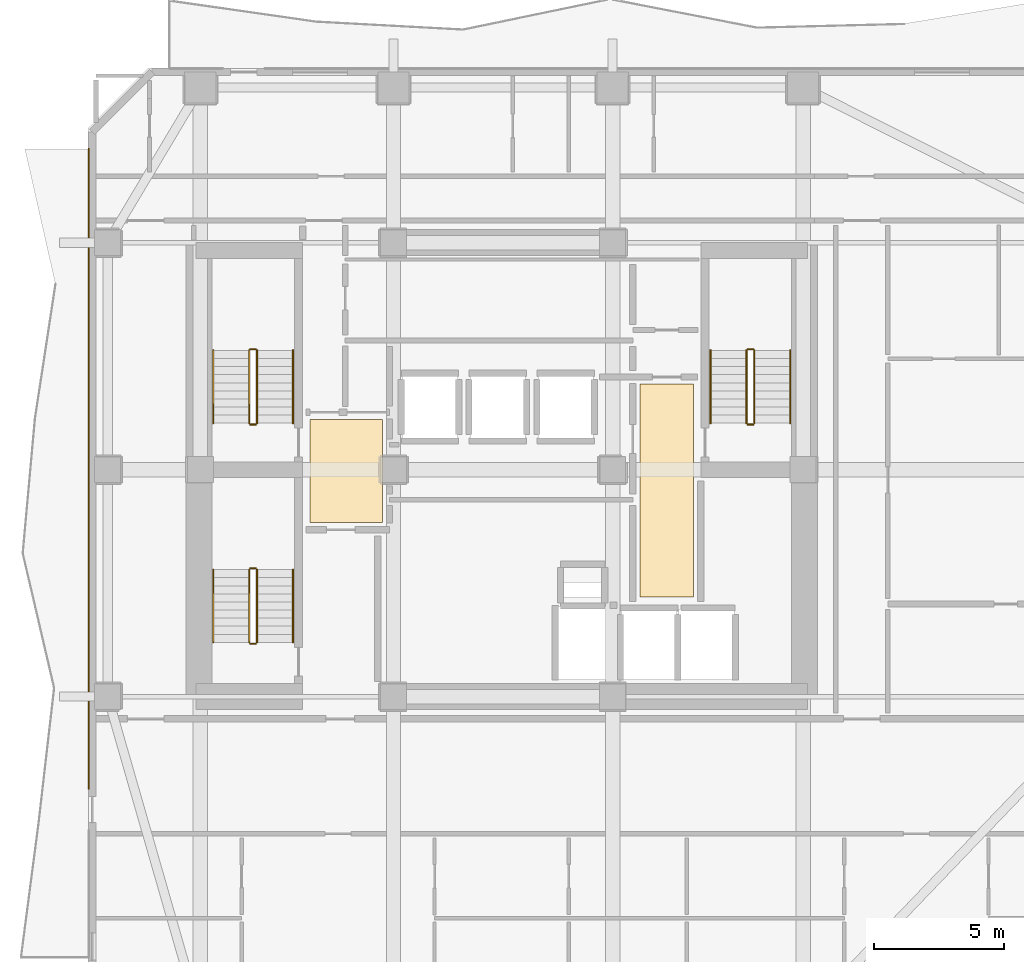
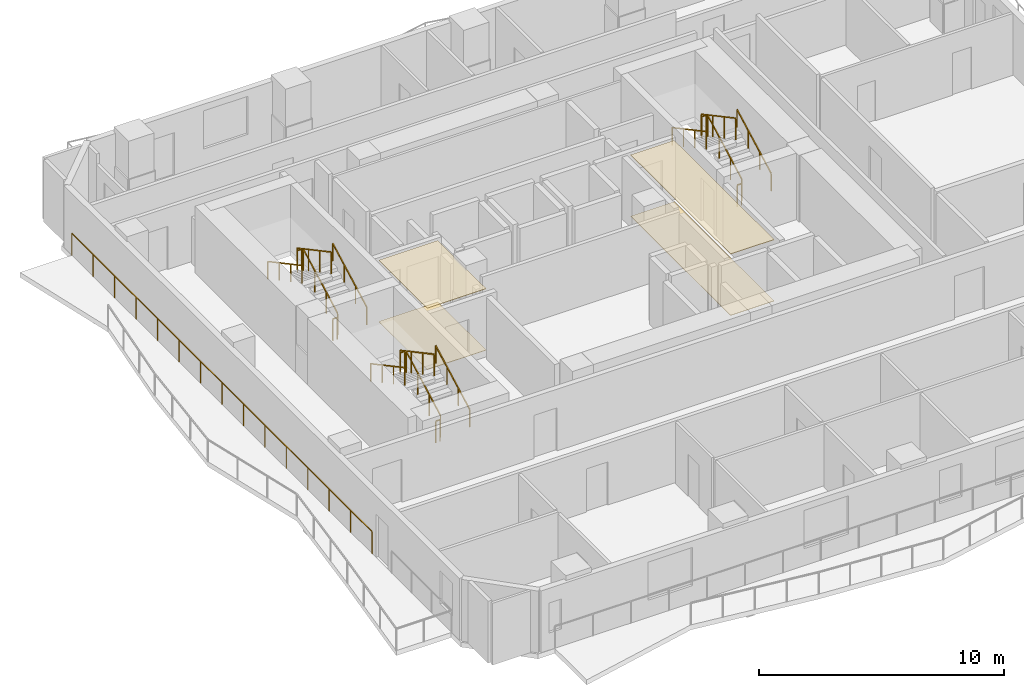
# One storey, part 8 of 9: 19 railings, 4 coverings.
"""IFC4 building model written with IfcOpenShell, lengths in metres."""

from ifc_helpers import new_model, si_unit, direction, frame, origin, origin_2d, place, context, subcontext, project, spatial, polyline, rectangle, outline, extrude, material, layer, layer_set, type_object, element, save


model = new_model("IFC4")

# Units and contexts
model_context = context("Model", 3, precision=1e-05, world=origin(), true_north=direction((0.0, 1.0)))
body_context = subcontext(model_context, "Body", "Model", "MODEL_VIEW")
ifc_project = project(units=[si_unit("LENGTHUNIT", "METRE"), si_unit("AREAUNIT", "SQUARE_METRE"), si_unit("VOLUMEUNIT", "CUBIC_METRE"), si_unit("PLANEANGLEUNIT", "RADIAN"), si_unit("MASSUNIT", "GRAM", prefix="KILO")], contexts=[model_context])

# Site, building, storey
site_placement = place(None, origin())
site = spatial("IfcSite", under=ifc_project, at=site_placement, CompositionType="ELEMENT")
building_placement = place(site_placement, origin())
building = spatial("IfcBuilding", under=site, at=building_placement, Name="Solanera Arch Residences", CompositionType="ELEMENT")
storey_placement = place(building_placement, frame((0.0, 0.0, 132.639892578125)))
storey = spatial("IfcBuildingStorey", under=building, at=storey_placement, Name="L38", CompositionType="ELEMENT", Elevation=132.639892578125)

# Railing
ifc_material_1 = material(Name="Steel S355 (ASTM A992 / A572 Grade 50)", Category="steel")
railing_type_1 = type_object("IfcRailingType", Name="Balustrade Railing BL-1100", PredefinedType="BALUSTRADE", material=ifc_material_1)
railing_1_placement = place(storey_placement, frame((9.1201171875, 18.472900390625, 0.0)))
element("IfcRailing", 1, at=railing_1_placement, inside=storey, type_object=railing_type_1, Name="L38 W Balcony Balustrade 2", PredefinedType="BALUSTRADE", context=body_context, shape_type="SweptSolid", body=[
    extrude(rectangle(XDim=0.048095703125, YDim=0.048095703125, at=origin_2d()), frame((0.0, 0.0, 1.09619140625), z_axis=(0.0, 1.0, 0.0), x_axis=(-1.0, 0.0, 0.0)), (0.0, 0.0, 1.0), 24.527099609375),
    extrude(rectangle(XDim=0.0419921875, YDim=0.0419921875, at=origin_2d()), origin(), (0.0, 0.0, 1.0), 1.072021484375),
    extrude(rectangle(XDim=0.0419921875, YDim=0.0419921875, at=origin_2d()), frame((0.0, 1.751953125, 0.0)), (0.0, 0.0, 1.0), 1.072021484375),
    extrude(rectangle(XDim=0.0419921875, YDim=0.0419921875, at=origin_2d()), frame((0.0, 3.50390625, 0.0)), (0.0, 0.0, 1.0), 1.072021484375),
    extrude(rectangle(XDim=0.0419921875, YDim=0.0419921875, at=origin_2d()), frame((0.0, 5.255859375, 0.0)), (0.0, 0.0, 1.0), 1.072021484375),
    extrude(rectangle(XDim=0.0419921875, YDim=0.0419921875, at=origin_2d()), frame((0.0, 7.0078125, 0.0)), (0.0, 0.0, 1.0), 1.072021484375),
    extrude(rectangle(XDim=0.0419921875, YDim=0.0419921875, at=origin_2d()), frame((0.0, 8.759765625, 0.0)), (0.0, 0.0, 1.0), 1.072021484375),
    extrude(rectangle(XDim=0.0419921875, YDim=0.0419921875, at=origin_2d()), frame((0.0, 10.51171875, 0.0)), (0.0, 0.0, 1.0), 1.072021484375),
    extrude(rectangle(XDim=0.0419921875, YDim=0.0419921875, at=origin_2d()), frame((0.0, 12.263671875, 0.0)), (0.0, 0.0, 1.0), 1.072021484375),
    extrude(rectangle(XDim=0.0419921875, YDim=0.0419921875, at=origin_2d()), frame((0.0, 14.015380859375, 0.0)), (0.0, 0.0, 1.0), 1.072021484375),
    extrude(rectangle(XDim=0.0419921875, YDim=0.0419921875, at=origin_2d()), frame((0.0, 15.767333984375, 0.0)), (0.0, 0.0, 1.0), 1.072021484375),
    extrude(rectangle(XDim=0.0419921875, YDim=0.0419921875, at=origin_2d()), frame((0.0, 17.519287109375, 0.0)), (0.0, 0.0, 1.0), 1.072021484375),
    extrude(rectangle(XDim=0.0419921875, YDim=0.0419921875, at=origin_2d()), frame((0.0, 19.271240234375, 0.0)), (0.0, 0.0, 1.0), 1.072021484375),
    extrude(rectangle(XDim=0.0419921875, YDim=0.0419921875, at=origin_2d()), frame((0.0, 21.023193359375, 0.0)), (0.0, 0.0, 1.0), 1.072021484375),
    extrude(rectangle(XDim=0.0419921875, YDim=0.0419921875, at=origin_2d()), frame((0.0, 22.775146484375, 0.0)), (0.0, 0.0, 1.0), 1.072021484375),
    extrude(rectangle(XDim=0.0419921875, YDim=0.0419921875, at=origin_2d()), frame((0.0, 24.527099609375, 0.0)), (0.0, 0.0, 1.0), 1.072021484375),
])

# Coverings
ifc_material_2 = material(Name="Porcelain Acoustic Floor Tile", Category="ceramic")
ifc_layer_1 = layer(ifc_material_2, 0.02001953125)
ifc_layer_set_1 = layer_set([ifc_layer_1], Name="Porcelain Acoustic Floor Tile")
covering_type_1 = type_object("IfcCoveringType", Name="Porcelain Acoustic Floor Finish FLR-20", PredefinedType="FLOORING", material=ifc_layer_set_1)
covering_1_placement = place(storey_placement, origin())
element("IfcCovering", 2, at=covering_1_placement, inside=storey, type_object=covering_type_1, Name="L38-FFL-W Porcelain Floor Finish", PredefinedType="FLOORING", context=body_context, shape_type="SweptSolid", body=[
    extrude(outline(polyline([(20.375, 28.675048828125), (17.594970703125, 28.675048828125), (17.594970703125, 32.625), (20.375, 32.625), (20.375, 28.675048828125)])), origin(), (0.0, 0.0, 1.0), 0.02001953125),
])
covering_2_placement = place(storey_placement, origin())
element("IfcCovering", 3, at=covering_2_placement, inside=storey, type_object=covering_type_1, Name="L38-FFL-E Porcelain Floor Finish", PredefinedType="FLOORING", context=body_context, shape_type="SweptSolid", body=[
    extrude(outline(polyline([(32.304931640625, 25.824951171875), (30.25, 25.824951171875), (30.25, 33.97509765625), (32.304931640625, 33.97509765625), (32.304931640625, 25.824951171875)])), origin(), (0.0, 0.0, 1.0), 0.02001953125),
])

# Railings
ifc_material_3 = material(Name="Steel S355 (ASTM A992 / A572 Grade 50)", Category="steel")
railing_type_2 = type_object("IfcRailingType", Name="Stair Guardrail GR-1100", PredefinedType="GUARDRAIL", material=ifc_material_3)
railing_2_placement = place(storey_placement, frame((15.570068359375, 32.47998046875, 0.151123046875)))
element("IfcRailing", 4, at=railing_2_placement, inside=storey, type_object=railing_type_2, Name="L38 ST-T1 stair guard 1", PredefinedType="GUARDRAIL", context=body_context, shape_type="SweptSolid", body=[
    extrude(rectangle(XDim=0.048095703125, YDim=0.048095703125, at=origin_2d()), frame((0.0, 0.0, 1.076171875), z_axis=(0.0, 0.881580869306, 0.472033018838), x_axis=(-1.0, 0.0, 0.0)), (0.0, 0.0, 1.0), 3.164794921875),
    extrude(rectangle(XDim=0.0419921875, YDim=0.0419921875, at=origin_2d()), origin(), (0.0, 0.0, 1.0), 1.052001953125),
    extrude(rectangle(XDim=0.0419921875, YDim=0.0419921875, at=origin_2d()), frame((0.0, 0.929931640625, 0.498046875)), (0.0, 0.0, 1.0), 1.052001953125),
    extrude(rectangle(XDim=0.0419921875, YDim=0.0419921875, at=origin_2d()), frame((0.0, 1.860107421875, 0.995849609375)), (0.0, 0.0, 1.0), 1.052001953125),
    extrude(rectangle(XDim=0.0419921875, YDim=0.0419921875, at=origin_2d()), frame((0.0, 2.7900390625, 1.493896484375)), (0.0, 0.0, 1.0), 1.052001953125),
])
railing_3_placement = place(storey_placement, frame((15.52001953125, 35.320068359375, 1.64501953125)))
element("IfcRailing", 5, at=railing_3_placement, inside=storey, type_object=railing_type_2, Name="L38 ST-T1 stair guard 2", PredefinedType="GUARDRAIL", context=body_context, shape_type="SweptSolid", body=[
    extrude(rectangle(XDim=0.048095703125, YDim=0.048095703125, at=origin_2d()), frame((0.0, 0.0, 1.076171875), z_axis=(-1.0, 0.0, 0.0), x_axis=(0.0, -1.0, 0.0)), (0.0, 0.0, 1.0), 0.199951171875),
    extrude(rectangle(XDim=0.0419921875, YDim=0.0419921875, at=origin_2d()), origin(), (0.0, 0.0, 1.0), 1.052001953125),
    extrude(rectangle(XDim=0.0419921875, YDim=0.0419921875, at=origin_2d()), frame((-0.199951171875, 0.0, 0.0)), (0.0, 0.0, 1.0), 1.052001953125),
])
railing_4_placement = place(storey_placement, frame((15.27001953125, 35.27001953125, 1.81103515625)))
element("IfcRailing", 6, at=railing_4_placement, inside=storey, type_object=railing_type_2, Name="L38 ST-T1 stair guard 3", PredefinedType="GUARDRAIL", context=body_context, shape_type="SweptSolid", body=[
    extrude(rectangle(XDim=0.048095703125, YDim=0.048095703125, at=origin_2d()), frame((0.0, 0.0, 1.076171875), z_axis=(0.0, -0.881548766853, 0.472092969298), x_axis=(1.0, 0.0, 0.0)), (0.0, 0.0, 1.0), 3.1650390625),
    extrude(rectangle(XDim=0.0419921875, YDim=0.0419921875, at=origin_2d()), origin(), (0.0, 0.0, 1.0), 1.052001953125),
    extrude(rectangle(XDim=0.0419921875, YDim=0.0419921875, at=origin_2d()), frame((0.0, -0.929931640625, 0.498046875)), (0.0, 0.0, 1.0), 1.052001953125),
    extrude(rectangle(XDim=0.0419921875, YDim=0.0419921875, at=origin_2d()), frame((0.0, -1.860107421875, 0.99609375)), (0.0, 0.0, 1.0), 1.052001953125),
    extrude(rectangle(XDim=0.0419921875, YDim=0.0419921875, at=origin_2d()), frame((0.0, -2.7900390625, 1.494140625)), (0.0, 0.0, 1.0), 1.052001953125),
])
railing_5_placement = place(storey_placement, frame((15.52001953125, 32.429931640625, -0.014892578125)))
element("IfcRailing", 7, at=railing_5_placement, inside=storey, type_object=railing_type_2, Name="L38 ST-T1 stair guard 4", PredefinedType="GUARDRAIL", context=body_context, shape_type="SweptSolid", body=[
    extrude(rectangle(XDim=0.048095703125, YDim=0.048095703125, at=origin_2d()), frame((0.0, 0.0, 1.076171875), z_axis=(-1.0, 0.0, 0.0), x_axis=(0.0, -1.0, 0.0)), (0.0, 0.0, 1.0), 0.199951171875),
    extrude(rectangle(XDim=0.0419921875, YDim=0.0419921875, at=origin_2d()), origin(), (0.0, 0.0, 1.0), 1.052001953125),
    extrude(rectangle(XDim=0.0419921875, YDim=0.0419921875, at=origin_2d()), frame((-0.199951171875, 0.0, 0.0)), (0.0, 0.0, 1.0), 1.052001953125),
])
railing_6_placement = place(storey_placement, frame((34.6298828125, 32.47998046875, 0.151123046875)))
element("IfcRailing", 8, at=railing_6_placement, inside=storey, type_object=railing_type_2, Name="L38 ST-T2 stair guard 1", PredefinedType="GUARDRAIL", context=body_context, shape_type="SweptSolid", body=[
    extrude(rectangle(XDim=0.048095703125, YDim=0.048095703125, at=origin_2d()), frame((0.0, 0.0, 1.076171875), z_axis=(0.0, 0.881580869306, 0.472033018838), x_axis=(-1.0, 0.0, 0.0)), (0.0, 0.0, 1.0), 3.164794921875),
    extrude(rectangle(XDim=0.0419921875, YDim=0.0419921875, at=origin_2d()), origin(), (0.0, 0.0, 1.0), 1.052001953125),
    extrude(rectangle(XDim=0.0419921875, YDim=0.0419921875, at=origin_2d()), frame((0.0, 0.929931640625, 0.498046875)), (0.0, 0.0, 1.0), 1.052001953125),
    extrude(rectangle(XDim=0.0419921875, YDim=0.0419921875, at=origin_2d()), frame((0.0, 1.860107421875, 0.995849609375)), (0.0, 0.0, 1.0), 1.052001953125),
    extrude(rectangle(XDim=0.0419921875, YDim=0.0419921875, at=origin_2d()), frame((0.0, 2.7900390625, 1.493896484375)), (0.0, 0.0, 1.0), 1.052001953125),
])
railing_7_placement = place(storey_placement, frame((34.580078125, 35.320068359375, 1.64501953125)))
element("IfcRailing", 9, at=railing_7_placement, inside=storey, type_object=railing_type_2, Name="L38 ST-T2 stair guard 2", PredefinedType="GUARDRAIL", context=body_context, shape_type="SweptSolid", body=[
    extrude(rectangle(XDim=0.048095703125, YDim=0.048095703125, at=origin_2d()), frame((0.0, 0.0, 1.076171875), z_axis=(-1.0, 0.0, 0.0), x_axis=(0.0, -1.0, 0.0)), (0.0, 0.0, 1.0), 0.2001953125),
    extrude(rectangle(XDim=0.0419921875, YDim=0.0419921875, at=origin_2d()), origin(), (0.0, 0.0, 1.0), 1.052001953125),
    extrude(rectangle(XDim=0.0419921875, YDim=0.0419921875, at=origin_2d()), frame((-0.2001953125, 0.0, 0.0)), (0.0, 0.0, 1.0), 1.052001953125),
])
railing_8_placement = place(storey_placement, frame((34.330078125, 35.27001953125, 1.81103515625)))
element("IfcRailing", 10, at=railing_8_placement, inside=storey, type_object=railing_type_2, Name="L38 ST-T2 stair guard 3", PredefinedType="GUARDRAIL", context=body_context, shape_type="SweptSolid", body=[
    extrude(rectangle(XDim=0.048095703125, YDim=0.048095703125, at=origin_2d()), frame((0.0, 0.0, 1.076171875), z_axis=(0.0, -0.881548766853, 0.472092969298), x_axis=(1.0, 0.0, 0.0)), (0.0, 0.0, 1.0), 3.1650390625),
    extrude(rectangle(XDim=0.0419921875, YDim=0.0419921875, at=origin_2d()), origin(), (0.0, 0.0, 1.0), 1.052001953125),
    extrude(rectangle(XDim=0.0419921875, YDim=0.0419921875, at=origin_2d()), frame((0.0, -0.929931640625, 0.498046875)), (0.0, 0.0, 1.0), 1.052001953125),
    extrude(rectangle(XDim=0.0419921875, YDim=0.0419921875, at=origin_2d()), frame((0.0, -1.860107421875, 0.99609375)), (0.0, 0.0, 1.0), 1.052001953125),
    extrude(rectangle(XDim=0.0419921875, YDim=0.0419921875, at=origin_2d()), frame((0.0, -2.7900390625, 1.494140625)), (0.0, 0.0, 1.0), 1.052001953125),
])
railing_9_placement = place(storey_placement, frame((34.580078125, 32.429931640625, -0.014892578125)))
element("IfcRailing", 11, at=railing_9_placement, inside=storey, type_object=railing_type_2, Name="L38 ST-T2 stair guard 4", PredefinedType="GUARDRAIL", context=body_context, shape_type="SweptSolid", body=[
    extrude(rectangle(XDim=0.048095703125, YDim=0.048095703125, at=origin_2d()), frame((0.0, 0.0, 1.076171875), z_axis=(-1.0, 0.0, 0.0), x_axis=(0.0, -1.0, 0.0)), (0.0, 0.0, 1.0), 0.2001953125),
    extrude(rectangle(XDim=0.0419921875, YDim=0.0419921875, at=origin_2d()), origin(), (0.0, 0.0, 1.0), 1.052001953125),
    extrude(rectangle(XDim=0.0419921875, YDim=0.0419921875, at=origin_2d()), frame((-0.2001953125, 0.0, 0.0)), (0.0, 0.0, 1.0), 1.052001953125),
])
railing_10_placement = place(storey_placement, frame((15.570068359375, 24.080078125, 0.151123046875)))
element("IfcRailing", 12, at=railing_10_placement, inside=storey, type_object=railing_type_2, Name="L38 ST-T3 stair guard 1", PredefinedType="GUARDRAIL", context=body_context, shape_type="SweptSolid", body=[
    extrude(rectangle(XDim=0.048095703125, YDim=0.048095703125, at=origin_2d()), frame((0.0, 0.0, 1.076171875), z_axis=(0.0, 0.881580869306, 0.472033018838), x_axis=(-1.0, 0.0, 0.0)), (0.0, 0.0, 1.0), 3.164794921875),
    extrude(rectangle(XDim=0.0419921875, YDim=0.0419921875, at=origin_2d()), origin(), (0.0, 0.0, 1.0), 1.052001953125),
    extrude(rectangle(XDim=0.0419921875, YDim=0.0419921875, at=origin_2d()), frame((0.0, 0.929931640625, 0.498046875)), (0.0, 0.0, 1.0), 1.052001953125),
    extrude(rectangle(XDim=0.0419921875, YDim=0.0419921875, at=origin_2d()), frame((0.0, 1.860107421875, 0.995849609375)), (0.0, 0.0, 1.0), 1.052001953125),
    extrude(rectangle(XDim=0.0419921875, YDim=0.0419921875, at=origin_2d()), frame((0.0, 2.7900390625, 1.493896484375)), (0.0, 0.0, 1.0), 1.052001953125),
])
railing_11_placement = place(storey_placement, frame((15.52001953125, 26.919921875, 1.64501953125)))
element("IfcRailing", 13, at=railing_11_placement, inside=storey, type_object=railing_type_2, Name="L38 ST-T3 stair guard 2", PredefinedType="GUARDRAIL", context=body_context, shape_type="SweptSolid", body=[
    extrude(rectangle(XDim=0.048095703125, YDim=0.048095703125, at=origin_2d()), frame((0.0, 0.0, 1.076171875), z_axis=(-1.0, 0.0, 0.0), x_axis=(0.0, -1.0, 0.0)), (0.0, 0.0, 1.0), 0.199951171875),
    extrude(rectangle(XDim=0.0419921875, YDim=0.0419921875, at=origin_2d()), origin(), (0.0, 0.0, 1.0), 1.052001953125),
    extrude(rectangle(XDim=0.0419921875, YDim=0.0419921875, at=origin_2d()), frame((-0.199951171875, 0.0, 0.0)), (0.0, 0.0, 1.0), 1.052001953125),
])
railing_12_placement = place(storey_placement, frame((15.27001953125, 26.8701171875, 1.81103515625)))
element("IfcRailing", 14, at=railing_12_placement, inside=storey, type_object=railing_type_2, Name="L38 ST-T3 stair guard 3", PredefinedType="GUARDRAIL", context=body_context, shape_type="SweptSolid", body=[
    extrude(rectangle(XDim=0.048095703125, YDim=0.048095703125, at=origin_2d()), frame((0.0, 0.0, 1.076171875), z_axis=(0.0, -0.881548766853, 0.472092969298), x_axis=(1.0, 0.0, 0.0)), (0.0, 0.0, 1.0), 3.1650390625),
    extrude(rectangle(XDim=0.0419921875, YDim=0.0419921875, at=origin_2d()), origin(), (0.0, 0.0, 1.0), 1.052001953125),
    extrude(rectangle(XDim=0.0419921875, YDim=0.0419921875, at=origin_2d()), frame((0.0, -0.929931640625, 0.498046875)), (0.0, 0.0, 1.0), 1.052001953125),
    extrude(rectangle(XDim=0.0419921875, YDim=0.0419921875, at=origin_2d()), frame((0.0, -1.860107421875, 0.99609375)), (0.0, 0.0, 1.0), 1.052001953125),
    extrude(rectangle(XDim=0.0419921875, YDim=0.0419921875, at=origin_2d()), frame((0.0, -2.7900390625, 1.494140625)), (0.0, 0.0, 1.0), 1.052001953125),
])
railing_13_placement = place(storey_placement, frame((15.52001953125, 24.030029296875, -0.014892578125)))
element("IfcRailing", 15, at=railing_13_placement, inside=storey, type_object=railing_type_2, Name="L38 ST-T3 stair guard 4", PredefinedType="GUARDRAIL", context=body_context, shape_type="SweptSolid", body=[
    extrude(rectangle(XDim=0.048095703125, YDim=0.048095703125, at=origin_2d()), frame((0.0, 0.0, 1.076171875), z_axis=(-1.0, 0.0, 0.0), x_axis=(0.0, -1.0, 0.0)), (0.0, 0.0, 1.0), 0.199951171875),
    extrude(rectangle(XDim=0.0419921875, YDim=0.0419921875, at=origin_2d()), origin(), (0.0, 0.0, 1.0), 1.052001953125),
    extrude(rectangle(XDim=0.0419921875, YDim=0.0419921875, at=origin_2d()), frame((-0.199951171875, 0.0, 0.0)), (0.0, 0.0, 1.0), 1.052001953125),
])
ifc_material_4 = material(Name="Steel S355 (ASTM A992 / A572 Grade 50)", Category="steel")
railing_type_3 = type_object("IfcRailingType", Name="Stair Wall Handrail HR-920", PredefinedType="HANDRAIL", material=ifc_material_4)
railing_14_placement = place(storey_placement, frame((16.949951171875, 32.47998046875, 0.166015625)))
element("IfcRailing", 16, at=railing_14_placement, inside=storey, type_object=railing_type_3, Name="L38 ST-T1 stair handrail 1", PredefinedType="HANDRAIL", context=body_context, shape_type="SweptSolid", body=[
    extrude(rectangle(XDim=0.048095703125, YDim=0.048095703125, at=origin_2d()), frame((0.0, 0.0, 0.8759765625), z_axis=(0.0, 0.881548766853, 0.472092969298), x_axis=(-1.0, 0.0, 0.0)), (0.0, 0.0, 1.0), 3.1650390625),
    extrude(rectangle(XDim=0.0419921875, YDim=0.0419921875, at=origin_2d()), origin(), (0.0, 0.0, 1.0), 0.851806640625),
    extrude(rectangle(XDim=0.0419921875, YDim=0.0419921875, at=origin_2d()), frame((0.0, 0.929931640625, 0.498046875)), (0.0, 0.0, 1.0), 0.851806640625),
    extrude(rectangle(XDim=0.0419921875, YDim=0.0419921875, at=origin_2d()), frame((0.0, 1.860107421875, 0.99609375)), (0.0, 0.0, 1.0), 0.851806640625),
    extrude(rectangle(XDim=0.0419921875, YDim=0.0419921875, at=origin_2d()), frame((0.0, 2.7900390625, 1.494140625)), (0.0, 0.0, 1.0), 0.851806640625),
])
railing_15_placement = place(storey_placement, frame((13.889892578125, 35.27001953125, 1.826171875)))
element("IfcRailing", 17, at=railing_15_placement, inside=storey, type_object=railing_type_3, Name="L38 ST-T1 stair handrail 2", PredefinedType="HANDRAIL", context=body_context, shape_type="SweptSolid", body=[
    extrude(rectangle(XDim=0.048095703125, YDim=0.048095703125, at=origin_2d()), frame((0.0, 0.0, 0.8759765625), z_axis=(0.0, -0.881580869306, 0.472033018838), x_axis=(1.0, 0.0, 0.0)), (0.0, 0.0, 1.0), 3.164794921875),
    extrude(rectangle(XDim=0.0419921875, YDim=0.0419921875, at=origin_2d()), origin(), (0.0, 0.0, 1.0), 0.851806640625),
    extrude(rectangle(XDim=0.0419921875, YDim=0.0419921875, at=origin_2d()), frame((0.0, -0.929931640625, 0.498046875)), (0.0, 0.0, 1.0), 0.851806640625),
    extrude(rectangle(XDim=0.0419921875, YDim=0.0419921875, at=origin_2d()), frame((0.0, -1.860107421875, 0.995849609375)), (0.0, 0.0, 1.0), 0.851806640625),
    extrude(rectangle(XDim=0.0419921875, YDim=0.0419921875, at=origin_2d()), frame((0.0, -2.7900390625, 1.493896484375)), (0.0, 0.0, 1.0), 0.851806640625),
])
railing_16_placement = place(storey_placement, frame((36.010009765625, 32.47998046875, 0.166015625)))
element("IfcRailing", 18, at=railing_16_placement, inside=storey, type_object=railing_type_3, Name="L38 ST-T2 stair handrail 1", PredefinedType="HANDRAIL", context=body_context, shape_type="SweptSolid", body=[
    extrude(rectangle(XDim=0.048095703125, YDim=0.048095703125, at=origin_2d()), frame((0.0, 0.0, 0.8759765625), z_axis=(0.0, 0.881548766853, 0.472092969298), x_axis=(-1.0, 0.0, 0.0)), (0.0, 0.0, 1.0), 3.1650390625),
    extrude(rectangle(XDim=0.0419921875, YDim=0.0419921875, at=origin_2d()), origin(), (0.0, 0.0, 1.0), 0.851806640625),
    extrude(rectangle(XDim=0.0419921875, YDim=0.0419921875, at=origin_2d()), frame((0.0, 0.929931640625, 0.498046875)), (0.0, 0.0, 1.0), 0.851806640625),
    extrude(rectangle(XDim=0.0419921875, YDim=0.0419921875, at=origin_2d()), frame((0.0, 1.860107421875, 0.99609375)), (0.0, 0.0, 1.0), 0.851806640625),
    extrude(rectangle(XDim=0.0419921875, YDim=0.0419921875, at=origin_2d()), frame((0.0, 2.7900390625, 1.494140625)), (0.0, 0.0, 1.0), 0.851806640625),
])
railing_17_placement = place(storey_placement, frame((32.949951171875, 35.27001953125, 1.826171875)))
element("IfcRailing", 19, at=railing_17_placement, inside=storey, type_object=railing_type_3, Name="L38 ST-T2 stair handrail 2", PredefinedType="HANDRAIL", context=body_context, shape_type="SweptSolid", body=[
    extrude(rectangle(XDim=0.048095703125, YDim=0.048095703125, at=origin_2d()), frame((0.0, 0.0, 0.8759765625), z_axis=(0.0, -0.881580869306, 0.472033018838), x_axis=(1.0, 0.0, 0.0)), (0.0, 0.0, 1.0), 3.164794921875),
    extrude(rectangle(XDim=0.0419921875, YDim=0.0419921875, at=origin_2d()), origin(), (0.0, 0.0, 1.0), 0.851806640625),
    extrude(rectangle(XDim=0.0419921875, YDim=0.0419921875, at=origin_2d()), frame((0.0, -0.929931640625, 0.498046875)), (0.0, 0.0, 1.0), 0.851806640625),
    extrude(rectangle(XDim=0.0419921875, YDim=0.0419921875, at=origin_2d()), frame((0.0, -1.860107421875, 0.995849609375)), (0.0, 0.0, 1.0), 0.851806640625),
    extrude(rectangle(XDim=0.0419921875, YDim=0.0419921875, at=origin_2d()), frame((0.0, -2.7900390625, 1.493896484375)), (0.0, 0.0, 1.0), 0.851806640625),
])
railing_18_placement = place(storey_placement, frame((16.949951171875, 24.080078125, 0.166015625)))
element("IfcRailing", 20, at=railing_18_placement, inside=storey, type_object=railing_type_3, Name="L38 ST-T3 stair handrail 1", PredefinedType="HANDRAIL", context=body_context, shape_type="SweptSolid", body=[
    extrude(rectangle(XDim=0.048095703125, YDim=0.048095703125, at=origin_2d()), frame((0.0, 0.0, 0.8759765625), z_axis=(0.0, 0.881548766853, 0.472092969298), x_axis=(-1.0, 0.0, 0.0)), (0.0, 0.0, 1.0), 3.1650390625),
    extrude(rectangle(XDim=0.0419921875, YDim=0.0419921875, at=origin_2d()), origin(), (0.0, 0.0, 1.0), 0.851806640625),
    extrude(rectangle(XDim=0.0419921875, YDim=0.0419921875, at=origin_2d()), frame((0.0, 0.929931640625, 0.498046875)), (0.0, 0.0, 1.0), 0.851806640625),
    extrude(rectangle(XDim=0.0419921875, YDim=0.0419921875, at=origin_2d()), frame((0.0, 1.860107421875, 0.99609375)), (0.0, 0.0, 1.0), 0.851806640625),
    extrude(rectangle(XDim=0.0419921875, YDim=0.0419921875, at=origin_2d()), frame((0.0, 2.7900390625, 1.494140625)), (0.0, 0.0, 1.0), 0.851806640625),
])
railing_19_placement = place(storey_placement, frame((13.889892578125, 26.8701171875, 1.826171875)))
element("IfcRailing", 21, at=railing_19_placement, inside=storey, type_object=railing_type_3, Name="L38 ST-T3 stair handrail 2", PredefinedType="HANDRAIL", context=body_context, shape_type="SweptSolid", body=[
    extrude(rectangle(XDim=0.048095703125, YDim=0.048095703125, at=origin_2d()), frame((0.0, 0.0, 0.8759765625), z_axis=(0.0, -0.881580869306, 0.472033018838), x_axis=(1.0, 0.0, 0.0)), (0.0, 0.0, 1.0), 3.164794921875),
    extrude(rectangle(XDim=0.0419921875, YDim=0.0419921875, at=origin_2d()), origin(), (0.0, 0.0, 1.0), 0.851806640625),
    extrude(rectangle(XDim=0.0419921875, YDim=0.0419921875, at=origin_2d()), frame((0.0, -0.929931640625, 0.498046875)), (0.0, 0.0, 1.0), 0.851806640625),
    extrude(rectangle(XDim=0.0419921875, YDim=0.0419921875, at=origin_2d()), frame((0.0, -1.860107421875, 0.995849609375)), (0.0, 0.0, 1.0), 0.851806640625),
    extrude(rectangle(XDim=0.0419921875, YDim=0.0419921875, at=origin_2d()), frame((0.0, -2.7900390625, 1.493896484375)), (0.0, 0.0, 1.0), 0.851806640625),
])

# Coverings
ifc_material_5 = material(Name="Mineral Fibre Acoustic Ceiling Board", Category="gypsum")
ifc_layer_2 = layer(ifc_material_5, 0.02490234375)
ifc_layer_set_2 = layer_set([ifc_layer_2], Name="Mineral Fibre Acoustic Ceiling Board")
covering_type_2 = type_object("IfcCoveringType", Name="Suspended Acoustic Ceiling Board CLG-25", PredefinedType="CEILING", material=ifc_layer_set_2)
covering_3_placement = place(storey_placement, frame((0.0, 0.0, 3.05517578125)))
element("IfcCovering", 22, at=covering_3_placement, inside=storey, type_object=covering_type_2, Name="L38-FFL-W Acoustic Ceiling", PredefinedType="CEILING", context=body_context, shape_type="SweptSolid", body=[
    extrude(outline(polyline([(20.375, 28.675048828125), (17.594970703125, 28.675048828125), (17.594970703125, 32.625), (20.375, 32.625), (20.375, 28.675048828125)])), origin(), (0.0, 0.0, 1.0), 0.02490234375),
])
covering_4_placement = place(storey_placement, frame((0.0, 0.0, 3.05517578125)))
element("IfcCovering", 23, at=covering_4_placement, inside=storey, type_object=covering_type_2, Name="L38-FFL-E Acoustic Ceiling", PredefinedType="CEILING", context=body_context, shape_type="SweptSolid", body=[
    extrude(outline(polyline([(32.304931640625, 25.824951171875), (30.25, 25.824951171875), (30.25, 33.97509765625), (32.304931640625, 33.97509765625), (32.304931640625, 25.824951171875)])), origin(), (0.0, 0.0, 1.0), 0.02490234375),
])

save(model, "model.ifc")
